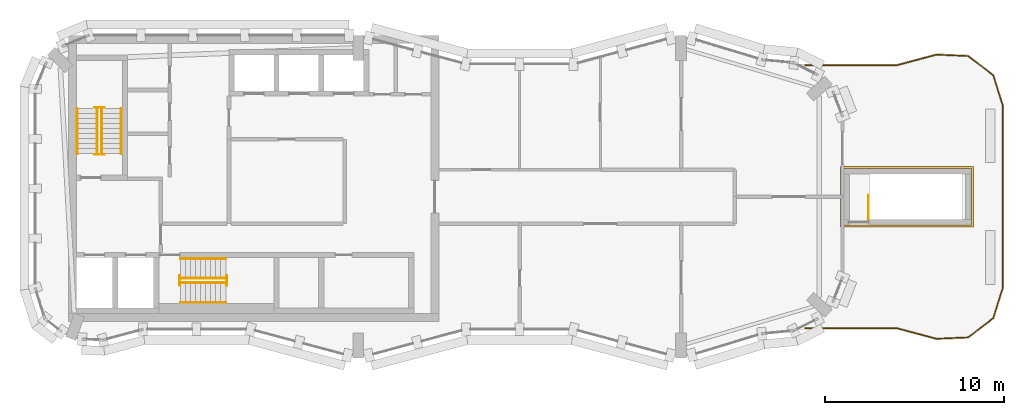
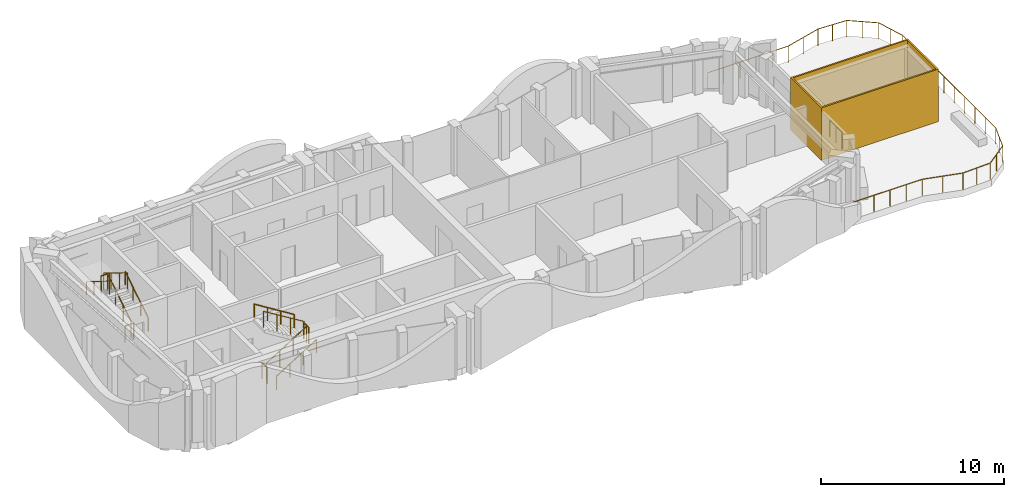
# One storey, part 6 of 9: 14 railings, 1 covering.
"""IFC4 building model written with IfcOpenShell, lengths in metres."""

from ifc_helpers import new_model, si_unit, direction, frame, origin, origin_2d, place, context, subcontext, project, spatial, polyline, circle, outline, extrude, material, layer, layer_set, type_object, element, save


model = new_model("IFC4")

# Units and contexts
model_context = context("Model", 3, precision=1e-05, world=origin(), true_north=direction((0.0, 1.0)))
body_context = subcontext(model_context, "Body", "Model", "MODEL_VIEW")
ifc_project = project(units=[si_unit("LENGTHUNIT", "METRE"), si_unit("AREAUNIT", "SQUARE_METRE"), si_unit("VOLUMEUNIT", "CUBIC_METRE"), si_unit("PLANEANGLEUNIT", "RADIAN"), si_unit("MASSUNIT", "GRAM", prefix="KILO")], contexts=[model_context])

# Site, building, storey
site_placement = place(None, origin())
site = spatial("IfcSite", under=ifc_project, at=site_placement, CompositionType="ELEMENT")
building_placement = place(site_placement, origin())
building = spatial("IfcBuilding", under=site, at=building_placement, Name="Plateau Cross Towers", CompositionType="ELEMENT")
storey_placement = place(building_placement, frame((0.0, 0.0, 287.89990234375)))
storey = spatial("IfcBuildingStorey", under=building, at=storey_placement, Name="L76 Crown 1", CompositionType="ELEMENT", Elevation=287.89990234375)

# Railings
ifc_material_1 = material(Name="Stainless steel and toughened glass", Category="steel")
railing_type_1 = type_object("IfcRailingType", Name="Glass balustrade guard 1100", PredefinedType="GUARDRAIL", material=ifc_material_1)
railing_1_placement = place(storey_placement, frame((42.924560546875, 16.322998046875, 0.0)))
element("IfcRailing", 1, at=railing_1_placement, inside=storey, type_object=railing_type_1, Name="Guard guard1", PredefinedType="GUARDRAIL", context=body_context, shape_type="SweptSolid", body=[
    extrude(circle(Radius=0.02392578125, at=origin_2d()), frame((0.0, 0.0, 1.076171875), z_axis=(1.0, 0.0, 0.0), x_axis=(0.0, 1.0, 0.0)), (0.0, 0.0, 1.0), 5.084716796875),
    extrude(circle(Radius=0.02392578125, at=origin_2d()), frame((5.084716796875, 0.0, 1.076171875), z_axis=(0.965956101937, 0.2587060284, 0.0), x_axis=(-0.2587060284, 0.965956101937, 0.0)), (0.0, 0.0, 1.0), 2.30078125),
    extrude(circle(Radius=0.02392578125, at=origin_2d()), frame((7.30712890625, 0.59521484375, 1.076171875), z_axis=(0.999044942217, -0.043694432489, 0.0), x_axis=(0.043694432489, 0.999044942217, 0.0)), (0.0, 0.0, 1.0), 1.771240234375),
    extrude(circle(Radius=0.02392578125, at=origin_2d()), frame((9.07666015625, 0.517822265625, 1.076171875), z_axis=(0.79330932609, -0.608818785139, 0.0), x_axis=(0.608818785139, 0.79330932609, 0.0)), (0.0, 0.0, 1.0), 1.760009765625),
    extrude(circle(Radius=0.02392578125, at=origin_2d()), frame((10.472900390625, -0.5537109375, 1.076171875), z_axis=(0.3006365493, -0.95373878249, 0.0), x_axis=(0.95373878249, 0.3006365493, 0.0)), (0.0, 0.0, 1.0), 1.771240234375),
    extrude(circle(Radius=0.02392578125, at=origin_2d()), frame((11.00537109375, -2.242919921875, 1.076171875), z_axis=(0.0, -1.0, 0.0), x_axis=(1.0, 0.0, 0.0)), (0.0, 0.0, 1.0), 10.16015625),
    extrude(circle(Radius=0.02392578125, at=origin_2d()), frame((11.00537109375, -12.403076171875, 1.076171875), z_axis=(-0.3006365493, -0.95373878249, 0.0), x_axis=(0.95373878249, -0.3006365493, 0.0)), (0.0, 0.0, 1.0), 1.771240234375),
    extrude(circle(Radius=0.02392578125, at=origin_2d()), frame((10.472900390625, -14.09228515625, 1.076171875), z_axis=(-0.79330932609, -0.608818785139, 0.0), x_axis=(0.608818785139, -0.79330932609, 0.0)), (0.0, 0.0, 1.0), 1.760009765625),
    extrude(circle(Radius=0.02392578125, at=origin_2d()), frame((9.07666015625, -15.163818359375, 1.076171875), z_axis=(-0.999044942217, -0.043694432489, 0.0), x_axis=(0.043694432489, -0.999044942217, 0.0)), (0.0, 0.0, 1.0), 1.771240234375),
    extrude(circle(Radius=0.02392578125, at=origin_2d()), frame((7.30712890625, -15.2412109375, 1.076171875), z_axis=(-0.965956101937, 0.2587060284, 0.0), x_axis=(-0.2587060284, -0.965956101937, 0.0)), (0.0, 0.0, 1.0), 2.30078125),
    extrude(circle(Radius=0.02392578125, at=origin_2d()), frame((5.084716796875, -14.64599609375, 1.076171875), z_axis=(-1.0, 0.0, 0.0), x_axis=(0.0, -1.0, 0.0)), (0.0, 0.0, 1.0), 5.084716796875),
    extrude(circle(Radius=0.02099609375, at=origin_2d()), origin(), (0.0, 0.0, 1.0), 1.052001953125),
    extrude(circle(Radius=0.02099609375, at=origin_2d()), frame((1.016845703125, 0.0, 0.0)), (0.0, 0.0, 1.0), 1.052001953125),
    extrude(circle(Radius=0.02099609375, at=origin_2d()), frame((2.033935546875, 0.0, 0.0)), (0.0, 0.0, 1.0), 1.052001953125),
    extrude(circle(Radius=0.02099609375, at=origin_2d()), frame((3.05078125, 0.0, 0.0)), (0.0, 0.0, 1.0), 1.052001953125),
    extrude(circle(Radius=0.02099609375, at=origin_2d()), frame((4.06787109375, 0.0, 0.0)), (0.0, 0.0, 1.0), 1.052001953125),
    extrude(circle(Radius=0.02099609375, at=origin_2d()), frame((5.084716796875, 0.0, 0.0)), (0.0, 0.0, 1.0), 1.052001953125),
    extrude(circle(Radius=0.02099609375, at=origin_2d()), frame((6.19580078125, 0.297607421875, 0.0)), (0.0, 0.0, 1.0), 1.052001953125),
    extrude(circle(Radius=0.02099609375, at=origin_2d()), frame((7.30712890625, 0.59521484375, 0.0)), (0.0, 0.0, 1.0), 1.052001953125),
    extrude(circle(Radius=0.02099609375, at=origin_2d()), frame((8.19189453125, 0.556640625, 0.0)), (0.0, 0.0, 1.0), 1.052001953125),
    extrude(circle(Radius=0.02099609375, at=origin_2d()), frame((9.07666015625, 0.517822265625, 0.0)), (0.0, 0.0, 1.0), 1.052001953125),
    extrude(circle(Radius=0.02099609375, at=origin_2d()), frame((9.77490234375, -0.01806640625, 0.0)), (0.0, 0.0, 1.0), 1.052001953125),
    extrude(circle(Radius=0.02099609375, at=origin_2d()), frame((10.472900390625, -0.5537109375, 0.0)), (0.0, 0.0, 1.0), 1.052001953125),
    extrude(circle(Radius=0.02099609375, at=origin_2d()), frame((10.7392578125, -1.3984375, 0.0)), (0.0, 0.0, 1.0), 1.052001953125),
    extrude(circle(Radius=0.02099609375, at=origin_2d()), frame((11.00537109375, -2.242919921875, 0.0)), (0.0, 0.0, 1.0), 1.052001953125),
    extrude(circle(Radius=0.02099609375, at=origin_2d()), frame((11.00537109375, -3.371826171875, 0.0)), (0.0, 0.0, 1.0), 1.052001953125),
    extrude(circle(Radius=0.02099609375, at=origin_2d()), frame((11.00537109375, -4.500732421875, 0.0)), (0.0, 0.0, 1.0), 1.052001953125),
    extrude(circle(Radius=0.02099609375, at=origin_2d()), frame((11.00537109375, -5.629638671875, 0.0)), (0.0, 0.0, 1.0), 1.052001953125),
    extrude(circle(Radius=0.02099609375, at=origin_2d()), frame((11.00537109375, -6.758544921875, 0.0)), (0.0, 0.0, 1.0), 1.052001953125),
    extrude(circle(Radius=0.02099609375, at=origin_2d()), frame((11.00537109375, -7.887451171875, 0.0)), (0.0, 0.0, 1.0), 1.052001953125),
    extrude(circle(Radius=0.02099609375, at=origin_2d()), frame((11.00537109375, -9.016357421875, 0.0)), (0.0, 0.0, 1.0), 1.052001953125),
    extrude(circle(Radius=0.02099609375, at=origin_2d()), frame((11.00537109375, -10.145263671875, 0.0)), (0.0, 0.0, 1.0), 1.052001953125),
    extrude(circle(Radius=0.02099609375, at=origin_2d()), frame((11.00537109375, -11.274169921875, 0.0)), (0.0, 0.0, 1.0), 1.052001953125),
    extrude(circle(Radius=0.02099609375, at=origin_2d()), frame((11.00537109375, -12.403076171875, 0.0)), (0.0, 0.0, 1.0), 1.052001953125),
    extrude(circle(Radius=0.02099609375, at=origin_2d()), frame((10.7392578125, -13.24755859375, 0.0)), (0.0, 0.0, 1.0), 1.052001953125),
    extrude(circle(Radius=0.02099609375, at=origin_2d()), frame((10.472900390625, -14.09228515625, 0.0)), (0.0, 0.0, 1.0), 1.052001953125),
    extrude(circle(Radius=0.02099609375, at=origin_2d()), frame((9.77490234375, -14.6279296875, 0.0)), (0.0, 0.0, 1.0), 1.052001953125),
    extrude(circle(Radius=0.02099609375, at=origin_2d()), frame((9.07666015625, -15.163818359375, 0.0)), (0.0, 0.0, 1.0), 1.052001953125),
    extrude(circle(Radius=0.02099609375, at=origin_2d()), frame((8.19189453125, -15.20263671875, 0.0)), (0.0, 0.0, 1.0), 1.052001953125),
    extrude(circle(Radius=0.02099609375, at=origin_2d()), frame((7.30712890625, -15.2412109375, 0.0)), (0.0, 0.0, 1.0), 1.052001953125),
    extrude(circle(Radius=0.02099609375, at=origin_2d()), frame((6.19580078125, -14.943603515625, 0.0)), (0.0, 0.0, 1.0), 1.052001953125),
    extrude(circle(Radius=0.02099609375, at=origin_2d()), frame((5.084716796875, -14.64599609375, 0.0)), (0.0, 0.0, 1.0), 1.052001953125),
    extrude(circle(Radius=0.02099609375, at=origin_2d()), frame((4.06787109375, -14.64599609375, 0.0)), (0.0, 0.0, 1.0), 1.052001953125),
    extrude(circle(Radius=0.02099609375, at=origin_2d()), frame((3.05078125, -14.64599609375, 0.0)), (0.0, 0.0, 1.0), 1.052001953125),
    extrude(circle(Radius=0.02099609375, at=origin_2d()), frame((2.033935546875, -14.64599609375, 0.0)), (0.0, 0.0, 1.0), 1.052001953125),
    extrude(circle(Radius=0.02099609375, at=origin_2d()), frame((1.016845703125, -14.64599609375, 0.0)), (0.0, 0.0, 1.0), 1.052001953125),
    extrude(circle(Radius=0.02099609375, at=origin_2d()), frame((0.0, -14.64599609375, 0.0)), (0.0, 0.0, 1.0), 1.052001953125),
])
railing_type_2 = type_object("IfcRailingType", Name="RL-GUARD-1100", PredefinedType="GUARDRAIL", material=ifc_material_1)
railing_2_placement = place(storey_placement, frame((3.699951171875, 11.39990234375, 0.175048828125)))
element("IfcRailing", 2, at=railing_2_placement, inside=storey, type_object=railing_type_2, Name="L76 Crown 1 ST-1 stair guard 1", PredefinedType="GUARDRAIL", context=body_context, shape_type="SweptSolid", body=[
    extrude(circle(Radius=0.02392578125, at=origin_2d()), frame((0.0, 0.0, 1.076171875), z_axis=(0.0, 0.848007534815, 0.529984170421), x_axis=(-1.0, 0.0, 0.0)), (0.0, 0.0, 1.0), 2.9716796875),
    extrude(circle(Radius=0.02099609375, at=origin_2d()), origin(), (0.0, 0.0, 1.0), 1.052001953125),
    extrude(circle(Radius=0.02099609375, at=origin_2d()), frame((0.0, 0.840087890625, 0.52490234375)), (0.0, 0.0, 1.0), 1.052001953125),
    extrude(circle(Radius=0.02099609375, at=origin_2d()), frame((0.0, 1.679931640625, 1.050048828125)), (0.0, 0.0, 1.0), 1.052001953125),
    extrude(circle(Radius=0.02099609375, at=origin_2d()), frame((0.0, 2.52001953125, 1.574951171875)), (0.0, 0.0, 1.0), 1.052001953125),
])
railing_3_placement = place(storey_placement, frame((3.85009765625, 13.969970703125, 1.75)))
element("IfcRailing", 3, at=railing_3_placement, inside=storey, type_object=railing_type_2, Name="L76 Crown 1 ST-1 stair guard 2", PredefinedType="GUARDRAIL", context=body_context, shape_type="SweptSolid", body=[
    extrude(circle(Radius=0.02392578125, at=origin_2d()), frame((0.0, 0.0, 1.076171875), z_axis=(-1.0, 0.0, 0.0), x_axis=(0.0, -1.0, 0.0)), (0.0, 0.0, 1.0), 0.550048828125),
    extrude(circle(Radius=0.02099609375, at=origin_2d()), origin(), (0.0, 0.0, 1.0), 1.052001953125),
    extrude(circle(Radius=0.02099609375, at=origin_2d()), frame((-0.550048828125, 0.0, 0.0)), (0.0, 0.0, 1.0), 1.052001953125),
])
railing_4_placement = place(storey_placement, frame((3.449951171875, 13.919921875, 1.925048828125)))
element("IfcRailing", 4, at=railing_4_placement, inside=storey, type_object=railing_type_2, Name="L76 Crown 1 ST-1 stair guard 3", PredefinedType="GUARDRAIL", context=body_context, shape_type="SweptSolid", body=[
    extrude(circle(Radius=0.02392578125, at=origin_2d()), frame((0.0, 0.0, 1.076171875), z_axis=(0.0, -0.852616386126, 0.522537365276), x_axis=(1.0, 0.0, 0.0)), (0.0, 0.0, 1.0), 3.01416015625),
    extrude(circle(Radius=0.02099609375, at=origin_2d()), origin(), (0.0, 0.0, 1.0), 1.052001953125),
    extrude(circle(Radius=0.02099609375, at=origin_2d()), frame((0.0, -0.856689453125, 0.52490234375)), (0.0, 0.0, 1.0), 1.052001953125),
    extrude(circle(Radius=0.02099609375, at=origin_2d()), frame((0.0, -1.713134765625, 1.050048828125)), (0.0, 0.0, 1.0), 1.052001953125),
    extrude(circle(Radius=0.02099609375, at=origin_2d()), frame((0.0, -2.56982421875, 1.574951171875)), (0.0, 0.0, 1.0), 1.052001953125),
])
railing_5_placement = place(storey_placement, frame((3.85009765625, 11.35009765625, 0.0)))
element("IfcRailing", 5, at=railing_5_placement, inside=storey, type_object=railing_type_2, Name="L76 Crown 1 ST-1 stair guard 4", PredefinedType="GUARDRAIL", context=body_context, shape_type="SweptSolid", body=[
    extrude(circle(Radius=0.02392578125, at=origin_2d()), frame((0.0, 0.0, 1.076171875), z_axis=(-1.0, 0.0, 0.0), x_axis=(0.0, -1.0, 0.0)), (0.0, 0.0, 1.0), 0.550048828125),
    extrude(circle(Radius=0.02099609375, at=origin_2d()), origin(), (0.0, 0.0, 1.0), 1.052001953125),
    extrude(circle(Radius=0.02099609375, at=origin_2d()), frame((-0.550048828125, 0.0, 0.0)), (0.0, 0.0, 1.0), 1.052001953125),
])
railing_6_placement = place(storey_placement, frame((8.10009765625, 4.199951171875, 0.175048828125)))
element("IfcRailing", 6, at=railing_6_placement, inside=storey, type_object=railing_type_2, Name="L76 Crown 1 ST-2 stair guard 1", PredefinedType="GUARDRAIL", context=body_context, shape_type="SweptSolid", body=[
    extrude(circle(Radius=0.02392578125, at=origin_2d()), frame((0.0, 0.0, 1.076171875), z_axis=(0.848007534815, 0.0, 0.529984170421), x_axis=(0.0, 1.0, 0.0)), (0.0, 0.0, 1.0), 2.9716796875),
    extrude(circle(Radius=0.02099609375, at=origin_2d()), origin(), (0.0, 0.0, 1.0), 1.052001953125),
    extrude(circle(Radius=0.02099609375, at=origin_2d()), frame((0.840087890625, 0.0, 0.52490234375)), (0.0, 0.0, 1.0), 1.052001953125),
    extrude(circle(Radius=0.02099609375, at=origin_2d()), frame((1.679931640625, 0.0, 1.050048828125)), (0.0, 0.0, 1.0), 1.052001953125),
    extrude(circle(Radius=0.02099609375, at=origin_2d()), frame((2.52001953125, 0.0, 1.574951171875)), (0.0, 0.0, 1.0), 1.052001953125),
])
railing_7_placement = place(storey_placement, frame((10.669921875, 4.050048828125, 1.75)))
element("IfcRailing", 7, at=railing_7_placement, inside=storey, type_object=railing_type_2, Name="L76 Crown 1 ST-2 stair guard 2", PredefinedType="GUARDRAIL", context=body_context, shape_type="SweptSolid", body=[
    extrude(circle(Radius=0.02392578125, at=origin_2d()), frame((0.0, 0.0, 1.076171875), z_axis=(0.0, 1.0, 0.0), x_axis=(-1.0, 0.0, 0.0)), (0.0, 0.0, 1.0), 0.550048828125),
    extrude(circle(Radius=0.02099609375, at=origin_2d()), origin(), (0.0, 0.0, 1.0), 1.052001953125),
    extrude(circle(Radius=0.02099609375, at=origin_2d()), frame((0.0, 0.550048828125, 0.0)), (0.0, 0.0, 1.0), 1.052001953125),
])
railing_8_placement = place(storey_placement, frame((10.6201171875, 4.449951171875, 1.925048828125)))
element("IfcRailing", 8, at=railing_8_placement, inside=storey, type_object=railing_type_2, Name="L76 Crown 1 ST-2 stair guard 3", PredefinedType="GUARDRAIL", context=body_context, shape_type="SweptSolid", body=[
    extrude(circle(Radius=0.02392578125, at=origin_2d()), frame((0.0, 0.0, 1.076171875), z_axis=(-0.852638500773, 0.0, 0.522501279423), x_axis=(0.0, -1.0, 0.0)), (0.0, 0.0, 1.0), 3.01416015625),
    extrude(circle(Radius=0.02099609375, at=origin_2d()), origin(), (0.0, 0.0, 1.0), 1.052001953125),
    extrude(circle(Radius=0.02099609375, at=origin_2d()), frame((-0.856689453125, 0.0, 0.52490234375)), (0.0, 0.0, 1.0), 1.052001953125),
    extrude(circle(Radius=0.02099609375, at=origin_2d()), frame((-1.71337890625, 0.0, 1.050048828125)), (0.0, 0.0, 1.0), 1.052001953125),
    extrude(circle(Radius=0.02099609375, at=origin_2d()), frame((-2.570068359375, 0.0, 1.574951171875)), (0.0, 0.0, 1.0), 1.052001953125),
])
railing_9_placement = place(storey_placement, frame((8.050048828125, 4.050048828125, 0.0)))
element("IfcRailing", 9, at=railing_9_placement, inside=storey, type_object=railing_type_2, Name="L76 Crown 1 ST-2 stair guard 4", PredefinedType="GUARDRAIL", context=body_context, shape_type="SweptSolid", body=[
    extrude(circle(Radius=0.02392578125, at=origin_2d()), frame((0.0, 0.0, 1.076171875), z_axis=(0.0, 1.0, 0.0), x_axis=(-1.0, 0.0, 0.0)), (0.0, 0.0, 1.0), 0.550048828125),
    extrude(circle(Radius=0.02099609375, at=origin_2d()), origin(), (0.0, 0.0, 1.0), 1.052001953125),
    extrude(circle(Radius=0.02099609375, at=origin_2d()), frame((0.0, 0.550048828125, 0.0)), (0.0, 0.0, 1.0), 1.052001953125),
])
railing_10_placement = place(storey_placement, frame((46.449951171875, 7.72509765625, 0.0)))
element("IfcRailing", 10, at=railing_10_placement, inside=storey, type_object=railing_type_2, Name="L76 Crown 1 ES-E top well guard 1", PredefinedType="GUARDRAIL", context=body_context, shape_type="SweptSolid", body=[
    extrude(circle(Radius=0.02392578125, at=origin_2d()), frame((0.0, 0.0, 1.076171875), z_axis=(0.0, 1.0, 0.0), x_axis=(-1.0, 0.0, 0.0)), (0.0, 0.0, 1.0), 1.349853515625),
    extrude(circle(Radius=0.02099609375, at=origin_2d()), origin(), (0.0, 0.0, 1.0), 1.052001953125),
    extrude(circle(Radius=0.02099609375, at=origin_2d()), frame((0.0, 0.6748046875, 0.0)), (0.0, 0.0, 1.0), 1.052001953125),
    extrude(circle(Radius=0.02099609375, at=origin_2d()), frame((0.0, 1.349853515625, 0.0)), (0.0, 0.0, 1.0), 1.052001953125),
])
ifc_material_2 = material(Name="Black anodised aluminium", Category="aluminium")
railing_type_3 = type_object("IfcRailingType", Name="RL-HANDRAIL-900", PredefinedType="HANDRAIL", material=ifc_material_2)
railing_11_placement = place(storey_placement, frame((4.800048828125, 11.39990234375, 0.175048828125)))
element("IfcRailing", 11, at=railing_11_placement, inside=storey, type_object=railing_type_3, Name="L76 Crown 1 ST-1 stair handrail 1", PredefinedType="HANDRAIL", context=body_context, shape_type="SweptSolid", body=[
    extrude(circle(Radius=0.02392578125, at=origin_2d()), frame((0.0, 0.0, 0.8759765625), z_axis=(0.0, 0.848007534815, 0.529984170421), x_axis=(-1.0, 0.0, 0.0)), (0.0, 0.0, 1.0), 2.9716796875),
    extrude(circle(Radius=0.02099609375, at=origin_2d()), origin(), (0.0, 0.0, 1.0), 0.851806640625),
    extrude(circle(Radius=0.02099609375, at=origin_2d()), frame((0.0, 0.840087890625, 0.52490234375)), (0.0, 0.0, 1.0), 0.851806640625),
    extrude(circle(Radius=0.02099609375, at=origin_2d()), frame((0.0, 1.679931640625, 1.050048828125)), (0.0, 0.0, 1.0), 0.851806640625),
    extrude(circle(Radius=0.02099609375, at=origin_2d()), frame((0.0, 2.52001953125, 1.574951171875)), (0.0, 0.0, 1.0), 0.851806640625),
])
railing_12_placement = place(storey_placement, frame((2.35009765625, 13.919921875, 1.925048828125)))
element("IfcRailing", 12, at=railing_12_placement, inside=storey, type_object=railing_type_3, Name="L76 Crown 1 ST-1 stair handrail 2", PredefinedType="HANDRAIL", context=body_context, shape_type="SweptSolid", body=[
    extrude(circle(Radius=0.02392578125, at=origin_2d()), frame((0.0, 0.0, 0.8759765625), z_axis=(0.0, -0.848007534815, 0.529984170421), x_axis=(1.0, 0.0, 0.0)), (0.0, 0.0, 1.0), 2.9716796875),
    extrude(circle(Radius=0.02099609375, at=origin_2d()), origin(), (0.0, 0.0, 1.0), 0.851806640625),
    extrude(circle(Radius=0.02099609375, at=origin_2d()), frame((0.0, -0.840087890625, 0.52490234375)), (0.0, 0.0, 1.0), 0.851806640625),
    extrude(circle(Radius=0.02099609375, at=origin_2d()), frame((0.0, -1.679931640625, 1.050048828125)), (0.0, 0.0, 1.0), 0.851806640625),
    extrude(circle(Radius=0.02099609375, at=origin_2d()), frame((0.0, -2.52001953125, 1.574951171875)), (0.0, 0.0, 1.0), 0.851806640625),
])
railing_13_placement = place(storey_placement, frame((8.10009765625, 3.10009765625, 0.175048828125)))
element("IfcRailing", 13, at=railing_13_placement, inside=storey, type_object=railing_type_3, Name="L76 Crown 1 ST-2 stair handrail 1", PredefinedType="HANDRAIL", context=body_context, shape_type="SweptSolid", body=[
    extrude(circle(Radius=0.02392578125, at=origin_2d()), frame((0.0, 0.0, 0.8759765625), z_axis=(0.848007534815, 0.0, 0.529984170421), x_axis=(0.0, 1.0, 0.0)), (0.0, 0.0, 1.0), 2.9716796875),
    extrude(circle(Radius=0.02099609375, at=origin_2d()), origin(), (0.0, 0.0, 1.0), 0.851806640625),
    extrude(circle(Radius=0.02099609375, at=origin_2d()), frame((0.840087890625, 0.0, 0.52490234375)), (0.0, 0.0, 1.0), 0.851806640625),
    extrude(circle(Radius=0.02099609375, at=origin_2d()), frame((1.679931640625, 0.0, 1.050048828125)), (0.0, 0.0, 1.0), 0.851806640625),
    extrude(circle(Radius=0.02099609375, at=origin_2d()), frame((2.52001953125, 0.0, 1.574951171875)), (0.0, 0.0, 1.0), 0.851806640625),
])
railing_14_placement = place(storey_placement, frame((10.6201171875, 5.550048828125, 1.925048828125)))
element("IfcRailing", 14, at=railing_14_placement, inside=storey, type_object=railing_type_3, Name="L76 Crown 1 ST-2 stair handrail 2", PredefinedType="HANDRAIL", context=body_context, shape_type="SweptSolid", body=[
    extrude(circle(Radius=0.02392578125, at=origin_2d()), frame((0.0, 0.0, 0.8759765625), z_axis=(-0.848007534815, 0.0, 0.529984170421), x_axis=(0.0, -1.0, 0.0)), (0.0, 0.0, 1.0), 2.9716796875),
    extrude(circle(Radius=0.02099609375, at=origin_2d()), origin(), (0.0, 0.0, 1.0), 0.851806640625),
    extrude(circle(Radius=0.02099609375, at=origin_2d()), frame((-0.840087890625, 0.0, 0.52490234375)), (0.0, 0.0, 1.0), 0.851806640625),
    extrude(circle(Radius=0.02099609375, at=origin_2d()), frame((-1.679931640625, 0.0, 1.050048828125)), (0.0, 0.0, 1.0), 0.851806640625),
    extrude(circle(Radius=0.02099609375, at=origin_2d()), frame((-2.52001953125, 0.0, 1.574951171875)), (0.0, 0.0, 1.0), 0.851806640625),
])

# Covering
ifc_material_3 = material(Name="Light precast concrete cladding C40/50", Category="concrete")
ifc_layer = layer(ifc_material_3, 0.10009765625)
ifc_layer_set = layer_set([ifc_layer], Name="Light precast concrete cladding C40/50")
covering_type = type_object("IfcCoveringType", Name="Stair tower cladding 100", PredefinedType="CLADDING", material=ifc_layer_set)
covering_placement = place(storey_placement, origin())
element("IfcCovering", 15, at=covering_placement, inside=storey, type_object=covering_type, Name="Stair tower cladding", PredefinedType="CLADDING", context=body_context, shape_type="SweptSolid", body=[
    extrude(outline(polyline([(44.89990234375, 10.675048828125), (52.300048828125, 10.675048828125), (52.300048828125, 7.324951171875), (44.89990234375, 7.324951171875), (44.89990234375, 10.675048828125)]), holes=[polyline([(52.199951171875, 7.425048828125), (52.199951171875, 10.574951171875), (45.0, 10.574951171875), (45.0, 7.425048828125), (52.199951171875, 7.425048828125)])]), origin(), (0.0, 0.0, 1.0), 3.5),
])

save(model, "model.ifc")
